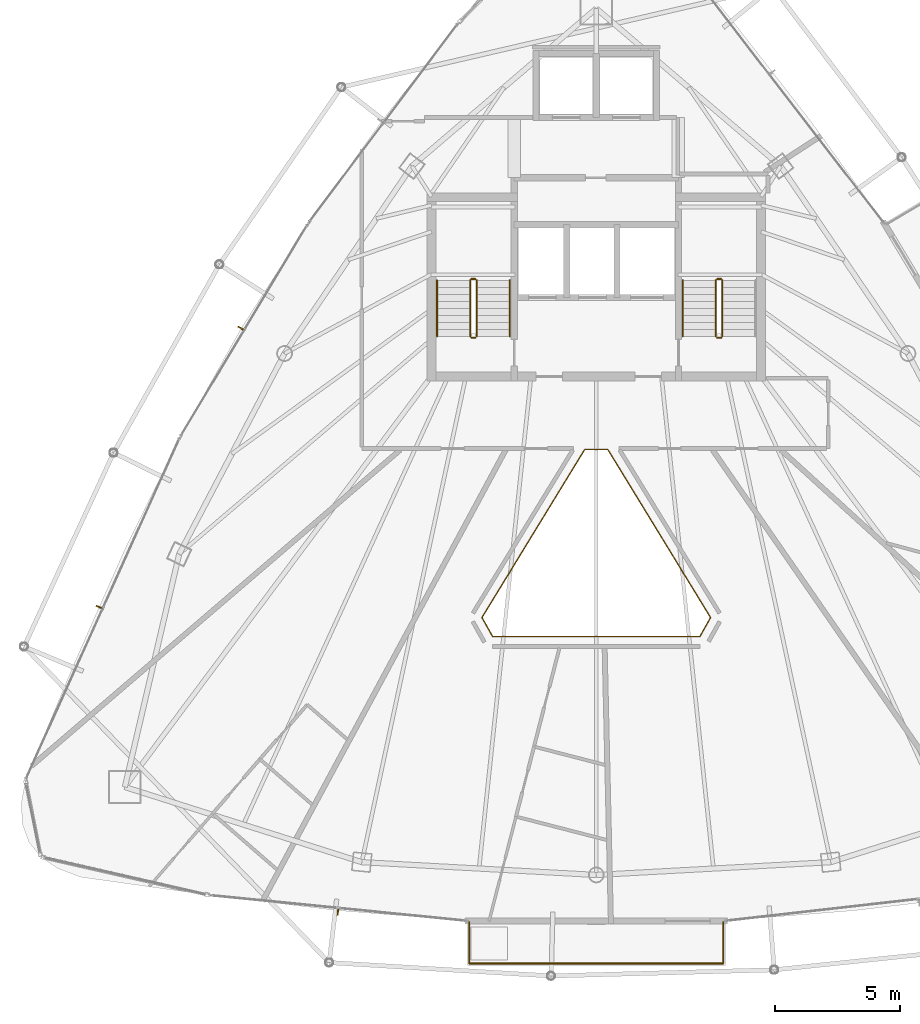
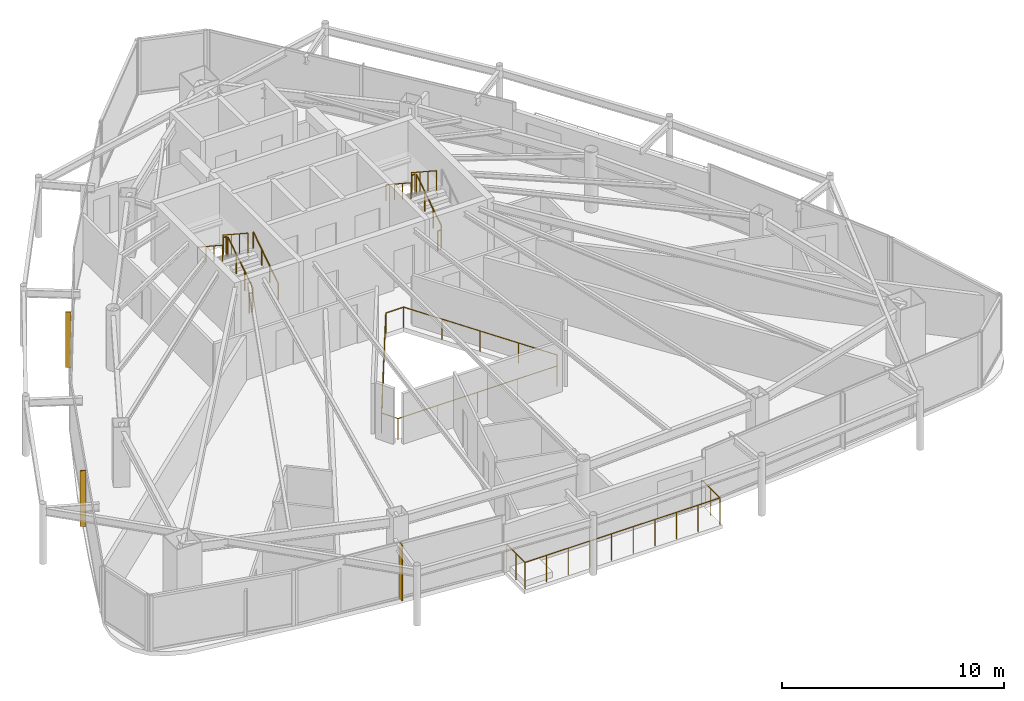
# One storey, part 28 of 30: 13 railings, 3 shading devices.
"""IFC4 building model written with IfcOpenShell, lengths in metres."""

from ifc_helpers import new_model, si_unit, direction, frame, origin, origin_2d, place, context, subcontext, project, spatial, rectangle, circle, extrude, material, layer, layer_set, type_object, element, save


model = new_model("IFC4")

# Units and contexts
model_context = context("Model", 3, precision=1e-05, world=origin(), true_north=direction((0.0, 1.0)))
body_context = subcontext(model_context, "Body", "Model", "MODEL_VIEW")
ifc_project = project(units=[si_unit("LENGTHUNIT", "METRE"), si_unit("AREAUNIT", "SQUARE_METRE"), si_unit("VOLUMEUNIT", "CUBIC_METRE"), si_unit("PLANEANGLEUNIT", "RADIAN"), si_unit("MASSUNIT", "GRAM", prefix="KILO")], contexts=[model_context])

# Site, building, storey
site_placement = place(None, origin())
site = spatial("IfcSite", under=ifc_project, at=site_placement, CompositionType="ELEMENT")
building_placement = place(site_placement, origin())
building = spatial("IfcBuilding", under=site, at=building_placement, Name="Orvanel Arch Residences", CompositionType="ELEMENT")
storey_placement = place(building_placement, frame((0.0, 0.0, 226.10009765625)))
storey = spatial("IfcBuildingStorey", under=building, at=storey_placement, Name="L64", CompositionType="ELEMENT", Elevation=226.10009765625)

# Shading devices
ifc_material_1 = material(Name="Bronze-anodised aluminium AA6063-T6", Category="aluminium")
ifc_layer = layer(ifc_material_1, 0.050048828125)
ifc_layer_set = layer_set([ifc_layer], Name="Bronze-anodised aluminium AA6063-T6")
shading_device_type = type_object("IfcShadingDeviceType", Name="FIN-BRZ-260", PredefinedType="USERDEFINED", material=ifc_layer_set)
for number, where, z_axis, x_axis, name in (
    (1, (18.825927734375, 28.64794921875, -0.000244140625), (0.0, 0.0, 1.0), (-0.857167300702, 0.51503807491, 0.0), "L64 Anodised Bronze Mullion FIN 01"),
    (2, (13.176025390625, 17.531005859375, -0.000244140625), (0.0, 0.0, 1.0), (-0.911403276635, 0.411514358605, 0.0), "L64 Anodised Bronze Mullion FIN 01"),
    (3, (22.696044921875, 5.368896484375, -0.000244140625), (0.0, 0.0, 1.0), (-0.099319749744, -0.995055569961, 0.0), "L64 Anodised Bronze Mullion FIN 01"),
):
    element("IfcShadingDevice", number, at=place(storey_placement, frame(where, z_axis=z_axis, x_axis=x_axis)), inside=storey, type_object=shading_device_type, Name=name, ObjectType="FIN", PredefinedType="USERDEFINED", context=body_context, shape_type="SweptSolid", body=[
        extrude(rectangle(XDim=0.260009765625, YDim=0.050048828125, at=origin_2d()), origin(), (0.0, 0.0, 1.0), 3.06005859375),
    ])

# Railings
railing_type_1 = type_object("IfcRailingType", Name="RL-ATR-1150", PredefinedType="BALUSTRADE", material=ifc_material_1)
railing_1_placement = place(storey_placement, frame((33.4619140625, 23.806884765625, 0.0)))
element("IfcRailing", 4, at=railing_1_placement, inside=storey, type_object=railing_type_1, Name="L64 Atrium Void Protective Balustrade", PredefinedType="BALUSTRADE", context=body_context, shape_type="SweptSolid", body=[
    extrude(circle(Radius=0.02392578125, at=origin_2d()), frame((-0.00146484375, 0.0, 1.1259765625), z_axis=(-1.0, 0.0, 0.0), x_axis=(0.0, -1.0, 0.0)), (0.0, 0.0, 1.0), 0.9208984375),
    extrude(circle(Radius=0.02392578125, at=origin_2d()), frame((-0.924560546875, -0.001220703125, 1.1259765625), z_axis=(-0.521590916093, -0.853195708058, 0.0), x_axis=(0.853195708058, -0.521590916093, 0.0)), (0.0, 0.0, 1.0), 7.845947265625),
    extrude(circle(Radius=0.02392578125, at=origin_2d()), frame((-5.01708984375, -6.697998046875, 1.1259765625), z_axis=(0.489444491674, -0.872034454348, 0.0), x_axis=(0.872034454348, 0.489444491674, 0.0)), (0.0, 0.0, 1.0), 0.863037109375),
    extrude(circle(Radius=0.02392578125, at=origin_2d()), frame((-4.592529296875, -7.451904296875, 1.1259765625), z_axis=(1.0, 0.0, 0.0), x_axis=(0.0, 1.0, 0.0)), (0.0, 0.0, 1.0), 8.26123046875),
    extrude(circle(Radius=0.02392578125, at=origin_2d()), frame((3.6708984375, -7.45068359375, 1.1259765625), z_axis=(0.489444491674, 0.872034454348, 0.0), x_axis=(-0.872034454348, 0.489444491674, 0.0)), (0.0, 0.0, 1.0), 0.863037109375),
    extrude(circle(Radius=0.02392578125, at=origin_2d()), frame((4.09326171875, -6.695556640625, 1.1259765625), z_axis=(-0.521590916093, 0.853195708058, 0.0), x_axis=(-0.853195708058, -0.521590916093, 0.0)), (0.0, 0.0, 1.0), 7.845947265625),
    extrude(circle(Radius=0.02099609375, at=origin_2d()), origin(), (0.0, 0.0, 1.0), 1.099853515625),
    extrude(circle(Radius=0.02099609375, at=origin_2d()), frame((-0.923828125, 0.0, 0.0)), (0.0, 0.0, 1.0), 1.099853515625),
    extrude(circle(Radius=0.02099609375, at=origin_2d()), frame((-1.947265625, -1.67431640625, 0.0)), (0.0, 0.0, 1.0), 1.099853515625),
    extrude(circle(Radius=0.02099609375, at=origin_2d()), frame((-2.970703125, -3.348388671875, 0.0)), (0.0, 0.0, 1.0), 1.099853515625),
    extrude(circle(Radius=0.02099609375, at=origin_2d()), frame((-3.994384765625, -5.0224609375, 0.0)), (0.0, 0.0, 1.0), 1.099853515625),
    extrude(circle(Radius=0.02099609375, at=origin_2d()), frame((-5.017822265625, -6.69677734375, 0.0)), (0.0, 0.0, 1.0), 1.099853515625),
    extrude(circle(Radius=0.02099609375, at=origin_2d()), frame((-4.593994140625, -7.451904296875, 0.0)), (0.0, 0.0, 1.0), 1.099853515625),
    extrude(circle(Radius=0.02099609375, at=origin_2d()), frame((-2.52783203125, -7.451904296875, 0.0)), (0.0, 0.0, 1.0), 1.099853515625),
    extrude(circle(Radius=0.02099609375, at=origin_2d()), frame((-0.4619140625, -7.451904296875, 0.0)), (0.0, 0.0, 1.0), 1.099853515625),
    extrude(circle(Radius=0.02099609375, at=origin_2d()), frame((1.60400390625, -7.451904296875, 0.0)), (0.0, 0.0, 1.0), 1.099853515625),
    extrude(circle(Radius=0.02099609375, at=origin_2d()), frame((3.670166015625, -7.451904296875, 0.0)), (0.0, 0.0, 1.0), 1.099853515625),
    extrude(circle(Radius=0.02099609375, at=origin_2d()), frame((4.093994140625, -6.69677734375, 0.0)), (0.0, 0.0, 1.0), 1.099853515625),
    extrude(circle(Radius=0.02099609375, at=origin_2d()), frame((3.070556640625, -5.0224609375, 0.0)), (0.0, 0.0, 1.0), 1.099853515625),
    extrude(circle(Radius=0.02099609375, at=origin_2d()), frame((2.046875, -3.348388671875, 0.0)), (0.0, 0.0, 1.0), 1.099853515625),
    extrude(circle(Radius=0.02099609375, at=origin_2d()), frame((1.0234375, -1.67431640625, 0.0)), (0.0, 0.0, 1.0), 1.099853515625),
])
railing_type_2 = type_object("IfcRailingType", Name="RL-BAL-1480", PredefinedType="BALUSTRADE", material=ifc_material_1)
railing_2_placement = place(storey_placement, frame((27.93603515625, 4.950927734375, 0.0)))
element("IfcRailing", 5, at=railing_2_placement, inside=storey, type_object=railing_type_2, Name="L64 Balcony Perimeter Guardrail Face 2", PredefinedType="BALUSTRADE", context=body_context, shape_type="SweptSolid", body=[
    extrude(circle(Radius=0.02392578125, at=origin_2d()), frame((0.0, -0.00146484375, 1.4560546875), z_axis=(0.0, -1.0, 0.0), x_axis=(1.0, 0.0, 0.0)), (0.0, 0.0, 1.0), 1.636962890625),
    extrude(circle(Radius=0.02392578125, at=origin_2d()), frame((0.00146484375, -1.639892578125, 1.4560546875), z_axis=(1.0, 0.0, 0.0), x_axis=(0.0, 1.0, 0.0)), (0.0, 0.0, 1.0), 10.125),
    extrude(circle(Radius=0.02392578125, at=origin_2d()), frame((10.1279296875, -1.638427734375, 1.4560546875), z_axis=(0.0, 1.0, 0.0), x_axis=(-1.0, 0.0, 0.0)), (0.0, 0.0, 1.0), 1.636962890625),
    extrude(circle(Radius=0.02099609375, at=origin_2d()), origin(), (0.0, 0.0, 1.0), 1.429931640625),
    extrude(circle(Radius=0.02099609375, at=origin_2d()), frame((0.0, -0.81982421875, 0.0)), (0.0, 0.0, 1.0), 1.429931640625),
    extrude(circle(Radius=0.02099609375, at=origin_2d()), frame((0.0, -1.639892578125, 0.0)), (0.0, 0.0, 1.0), 1.429931640625),
    extrude(circle(Radius=0.02099609375, at=origin_2d()), frame((1.125244140625, -1.639892578125, 0.0)), (0.0, 0.0, 1.0), 1.429931640625),
    extrude(circle(Radius=0.02099609375, at=origin_2d()), frame((2.250732421875, -1.639892578125, 0.0)), (0.0, 0.0, 1.0), 1.429931640625),
    extrude(circle(Radius=0.02099609375, at=origin_2d()), frame((3.3759765625, -1.639892578125, 0.0)), (0.0, 0.0, 1.0), 1.429931640625),
    extrude(circle(Radius=0.02099609375, at=origin_2d()), frame((4.501220703125, -1.639892578125, 0.0)), (0.0, 0.0, 1.0), 1.429931640625),
    extrude(circle(Radius=0.02099609375, at=origin_2d()), frame((5.626708984375, -1.639892578125, 0.0)), (0.0, 0.0, 1.0), 1.429931640625),
    extrude(circle(Radius=0.02099609375, at=origin_2d()), frame((6.751953125, -1.639892578125, 0.0)), (0.0, 0.0, 1.0), 1.429931640625),
    extrude(circle(Radius=0.02099609375, at=origin_2d()), frame((7.877197265625, -1.639892578125, 0.0)), (0.0, 0.0, 1.0), 1.429931640625),
    extrude(circle(Radius=0.02099609375, at=origin_2d()), frame((9.002685546875, -1.639892578125, 0.0)), (0.0, 0.0, 1.0), 1.429931640625),
    extrude(circle(Radius=0.02099609375, at=origin_2d()), frame((10.1279296875, -1.639892578125, 0.0)), (0.0, 0.0, 1.0), 1.429931640625),
    extrude(circle(Radius=0.02099609375, at=origin_2d()), frame((10.1279296875, -0.81982421875, 0.0)), (0.0, 0.0, 1.0), 1.429931640625),
    extrude(circle(Radius=0.02099609375, at=origin_2d()), frame((10.1279296875, 0.0, 0.0)), (0.0, 0.0, 1.0), 1.429931640625),
])
ifc_material_2 = material(Name="Structural steel AS/NZS 1163 C350L0 (Grade 350)", Category="steel")
railing_type_3 = type_object("IfcRailingType", Name="RL-STAIR-GUARD", PredefinedType="GUARDRAIL", material=ifc_material_2)
railing_3_placement = place(storey_placement, frame((28.22998046875, 28.320068359375, 0.183349609375)))
element("IfcRailing", 6, at=railing_3_placement, inside=storey, type_object=railing_type_3, Name="L64 ST-1 stair guard 1", PredefinedType="GUARDRAIL", context=body_context, shape_type="SweptSolid", body=[
    extrude(circle(Radius=0.02392578125, at=origin_2d()), frame((0.0, 0.001220703125, 1.076904296875), z_axis=(0.0, 0.836636935527, 0.547757827979), x_axis=(-1.0, 0.0, 0.0)), (0.0, 0.0, 1.0), 2.67431640625),
    extrude(circle(Radius=0.02099609375, at=origin_2d()), origin(), (0.0, 0.0, 1.0), 1.050048828125),
    extrude(circle(Radius=0.02099609375, at=origin_2d()), frame((0.0, 0.74658203125, 0.48876953125)), (0.0, 0.0, 1.0), 1.050048828125),
    extrude(circle(Radius=0.02099609375, at=origin_2d()), frame((0.0, 1.493408203125, 0.977783203125)), (0.0, 0.0, 1.0), 1.050048828125),
    extrude(circle(Radius=0.02099609375, at=origin_2d()), frame((0.0, 2.239990234375, 1.466552734375)), (0.0, 0.0, 1.0), 1.050048828125),
])
railing_4_placement = place(storey_placement, frame((28.179931640625, 30.610107421875, 1.64990234375)))
element("IfcRailing", 7, at=railing_4_placement, inside=storey, type_object=railing_type_3, Name="L64 ST-1 stair guard 2", PredefinedType="GUARDRAIL", context=body_context, shape_type="SweptSolid", body=[
    extrude(circle(Radius=0.02392578125, at=origin_2d()), frame((-0.00146484375, 0.0, 1.076171875), z_axis=(-1.0, 0.0, 0.0), x_axis=(0.0, -1.0, 0.0)), (0.0, 0.0, 1.0), 0.156982421875),
    extrude(circle(Radius=0.02099609375, at=origin_2d()), origin(), (0.0, 0.0, 1.0), 1.050048828125),
    extrude(circle(Radius=0.02099609375, at=origin_2d()), frame((-0.159912109375, 0.0, 0.0)), (0.0, 0.0, 1.0), 1.050048828125),
])
railing_5_placement = place(storey_placement, frame((27.969970703125, 30.56005859375, 1.833251953125)))
element("IfcRailing", 8, at=railing_5_placement, inside=storey, type_object=railing_type_3, Name="L64 ST-1 stair guard 3", PredefinedType="GUARDRAIL", context=body_context, shape_type="SweptSolid", body=[
    extrude(circle(Radius=0.02392578125, at=origin_2d()), frame((0.0, -0.001220703125, 1.076904296875), z_axis=(0.0, -0.836636935527, 0.547757827979), x_axis=(1.0, 0.0, 0.0)), (0.0, 0.0, 1.0), 2.67431640625),
    extrude(circle(Radius=0.02099609375, at=origin_2d()), origin(), (0.0, 0.0, 1.0), 1.050048828125),
    extrude(circle(Radius=0.02099609375, at=origin_2d()), frame((0.0, -0.74658203125, 0.48876953125)), (0.0, 0.0, 1.0), 1.050048828125),
    extrude(circle(Radius=0.02099609375, at=origin_2d()), frame((0.0, -1.493408203125, 0.977783203125)), (0.0, 0.0, 1.0), 1.050048828125),
    extrude(circle(Radius=0.02099609375, at=origin_2d()), frame((0.0, -2.239990234375, 1.466552734375)), (0.0, 0.0, 1.0), 1.050048828125),
])
railing_6_placement = place(storey_placement, frame((28.179931640625, 28.27001953125, 0.0)))
element("IfcRailing", 9, at=railing_6_placement, inside=storey, type_object=railing_type_3, Name="L64 ST-1 stair guard 4", PredefinedType="GUARDRAIL", context=body_context, shape_type="SweptSolid", body=[
    extrude(circle(Radius=0.02392578125, at=origin_2d()), frame((-0.00146484375, 0.0, 1.076171875), z_axis=(-1.0, 0.0, 0.0), x_axis=(0.0, -1.0, 0.0)), (0.0, 0.0, 1.0), 0.156982421875),
    extrude(circle(Radius=0.02099609375, at=origin_2d()), origin(), (0.0, 0.0, 1.0), 1.050048828125),
    extrude(circle(Radius=0.02099609375, at=origin_2d()), frame((-0.159912109375, 0.0, 0.0)), (0.0, 0.0, 1.0), 1.050048828125),
])
railing_7_placement = place(storey_placement, frame((38.030029296875, 28.320068359375, 0.183349609375)))
element("IfcRailing", 10, at=railing_7_placement, inside=storey, type_object=railing_type_3, Name="L64 ST-2 stair guard 1", PredefinedType="GUARDRAIL", context=body_context, shape_type="SweptSolid", body=[
    extrude(circle(Radius=0.02392578125, at=origin_2d()), frame((0.0, 0.001220703125, 1.076904296875), z_axis=(0.0, 0.836636935527, 0.547757827979), x_axis=(-1.0, 0.0, 0.0)), (0.0, 0.0, 1.0), 2.67431640625),
    extrude(circle(Radius=0.02099609375, at=origin_2d()), origin(), (0.0, 0.0, 1.0), 1.050048828125),
    extrude(circle(Radius=0.02099609375, at=origin_2d()), frame((0.0, 0.74658203125, 0.48876953125)), (0.0, 0.0, 1.0), 1.050048828125),
    extrude(circle(Radius=0.02099609375, at=origin_2d()), frame((0.0, 1.493408203125, 0.977783203125)), (0.0, 0.0, 1.0), 1.050048828125),
    extrude(circle(Radius=0.02099609375, at=origin_2d()), frame((0.0, 2.239990234375, 1.466552734375)), (0.0, 0.0, 1.0), 1.050048828125),
])
railing_8_placement = place(storey_placement, frame((37.97998046875, 30.610107421875, 1.64990234375)))
element("IfcRailing", 11, at=railing_8_placement, inside=storey, type_object=railing_type_3, Name="L64 ST-2 stair guard 2", PredefinedType="GUARDRAIL", context=body_context, shape_type="SweptSolid", body=[
    extrude(circle(Radius=0.02392578125, at=origin_2d()), frame((-0.00146484375, 0.0, 1.076171875), z_axis=(-1.0, 0.0, 0.0), x_axis=(0.0, -1.0, 0.0)), (0.0, 0.0, 1.0), 0.156982421875),
    extrude(circle(Radius=0.02099609375, at=origin_2d()), origin(), (0.0, 0.0, 1.0), 1.050048828125),
    extrude(circle(Radius=0.02099609375, at=origin_2d()), frame((-0.159912109375, 0.0, 0.0)), (0.0, 0.0, 1.0), 1.050048828125),
])
railing_9_placement = place(storey_placement, frame((37.77001953125, 30.56005859375, 1.833251953125)))
element("IfcRailing", 12, at=railing_9_placement, inside=storey, type_object=railing_type_3, Name="L64 ST-2 stair guard 3", PredefinedType="GUARDRAIL", context=body_context, shape_type="SweptSolid", body=[
    extrude(circle(Radius=0.02392578125, at=origin_2d()), frame((0.0, -0.001220703125, 1.076904296875), z_axis=(0.0, -0.836636935527, 0.547757827979), x_axis=(1.0, 0.0, 0.0)), (0.0, 0.0, 1.0), 2.67431640625),
    extrude(circle(Radius=0.02099609375, at=origin_2d()), origin(), (0.0, 0.0, 1.0), 1.050048828125),
    extrude(circle(Radius=0.02099609375, at=origin_2d()), frame((0.0, -0.74658203125, 0.48876953125)), (0.0, 0.0, 1.0), 1.050048828125),
    extrude(circle(Radius=0.02099609375, at=origin_2d()), frame((0.0, -1.493408203125, 0.977783203125)), (0.0, 0.0, 1.0), 1.050048828125),
    extrude(circle(Radius=0.02099609375, at=origin_2d()), frame((0.0, -2.239990234375, 1.466552734375)), (0.0, 0.0, 1.0), 1.050048828125),
])
railing_10_placement = place(storey_placement, frame((37.97998046875, 28.27001953125, 0.0)))
element("IfcRailing", 13, at=railing_10_placement, inside=storey, type_object=railing_type_3, Name="L64 ST-2 stair guard 4", PredefinedType="GUARDRAIL", context=body_context, shape_type="SweptSolid", body=[
    extrude(circle(Radius=0.02392578125, at=origin_2d()), frame((-0.00146484375, 0.0, 1.076171875), z_axis=(-1.0, 0.0, 0.0), x_axis=(0.0, -1.0, 0.0)), (0.0, 0.0, 1.0), 0.156982421875),
    extrude(circle(Radius=0.02099609375, at=origin_2d()), origin(), (0.0, 0.0, 1.0), 1.050048828125),
    extrude(circle(Radius=0.02099609375, at=origin_2d()), frame((-0.159912109375, 0.0, 0.0)), (0.0, 0.0, 1.0), 1.050048828125),
])
railing_type_4 = type_object("IfcRailingType", Name="RL-STAIR-HAND", PredefinedType="HANDRAIL", material=ifc_material_2)
railing_11_placement = place(storey_placement, frame((29.550048828125, 28.320068359375, 0.183349609375)))
element("IfcRailing", 14, at=railing_11_placement, inside=storey, type_object=railing_type_4, Name="L64 ST-1 stair handrail 1", PredefinedType="HANDRAIL", context=body_context, shape_type="SweptSolid", body=[
    extrude(circle(Radius=0.02392578125, at=origin_2d()), frame((0.0, 0.001220703125, 0.876708984375), z_axis=(0.0, 0.836636935527, 0.547757827979), x_axis=(-1.0, 0.0, 0.0)), (0.0, 0.0, 1.0), 2.67431640625),
    extrude(circle(Radius=0.02099609375, at=origin_2d()), origin(), (0.0, 0.0, 1.0), 0.849853515625),
    extrude(circle(Radius=0.02099609375, at=origin_2d()), frame((0.0, 0.74658203125, 0.48876953125)), (0.0, 0.0, 1.0), 0.849853515625),
    extrude(circle(Radius=0.02099609375, at=origin_2d()), frame((0.0, 1.493408203125, 0.977783203125)), (0.0, 0.0, 1.0), 0.849853515625),
    extrude(circle(Radius=0.02099609375, at=origin_2d()), frame((0.0, 2.239990234375, 1.466552734375)), (0.0, 0.0, 1.0), 0.849853515625),
])
for number, where, name in (
    (15, (26.64990234375, 30.56005859375, 1.833251953125), "L64 ST-1 stair handrail 2"),
    (16, (36.449951171875, 30.56005859375, 1.833251953125), "L64 ST-2 stair handrail 2"),
):
    element("IfcRailing", number, at=place(storey_placement, frame(where)), inside=storey, type_object=railing_type_4, Name=name, PredefinedType="HANDRAIL", context=body_context, shape_type="SweptSolid", body=[
        extrude(circle(Radius=0.02392578125, at=origin_2d()), frame((0.0, -0.001220703125, 0.876708984375), z_axis=(0.0, -0.836636935527, 0.547757827979), x_axis=(1.0, 0.0, 0.0)), (0.0, 0.0, 1.0), 2.67431640625),
        extrude(circle(Radius=0.02099609375, at=origin_2d()), origin(), (0.0, 0.0, 1.0), 0.849853515625),
        extrude(circle(Radius=0.02099609375, at=origin_2d()), frame((0.0, -0.74658203125, 0.48876953125)), (0.0, 0.0, 1.0), 0.849853515625),
        extrude(circle(Radius=0.02099609375, at=origin_2d()), frame((0.0, -1.493408203125, 0.977783203125)), (0.0, 0.0, 1.0), 0.849853515625),
        extrude(circle(Radius=0.02099609375, at=origin_2d()), frame((0.0, -2.239990234375, 1.466552734375)), (0.0, 0.0, 1.0), 0.849853515625),
    ])

save(model, "model.ifc")
